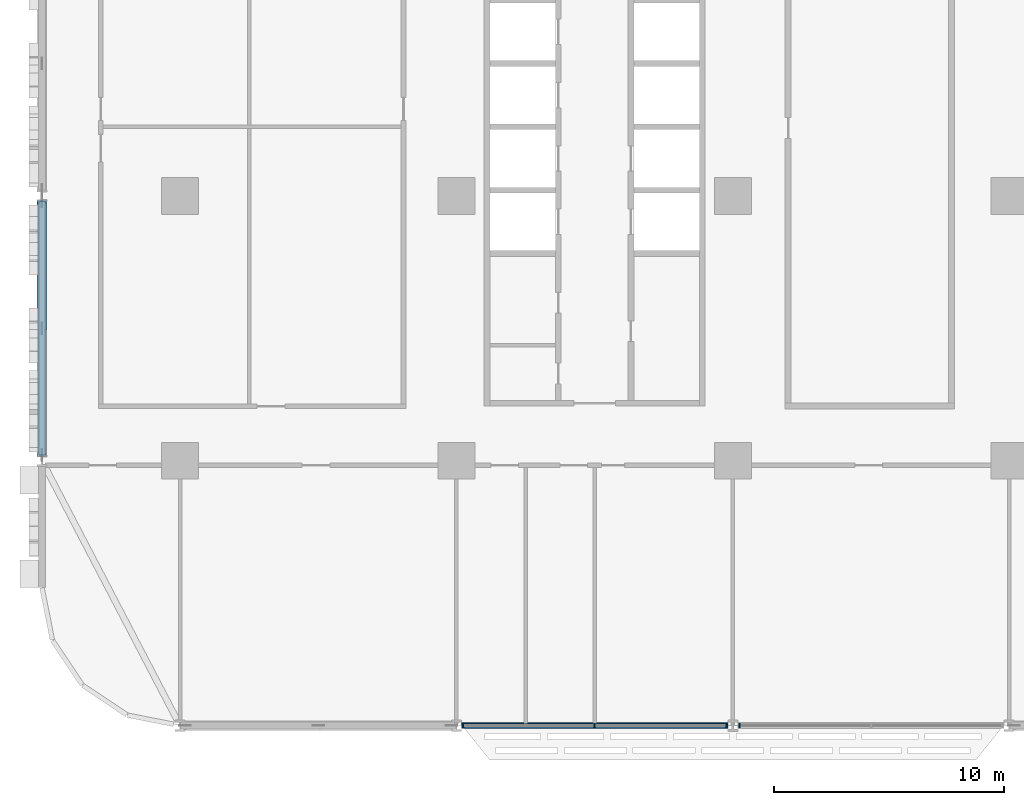
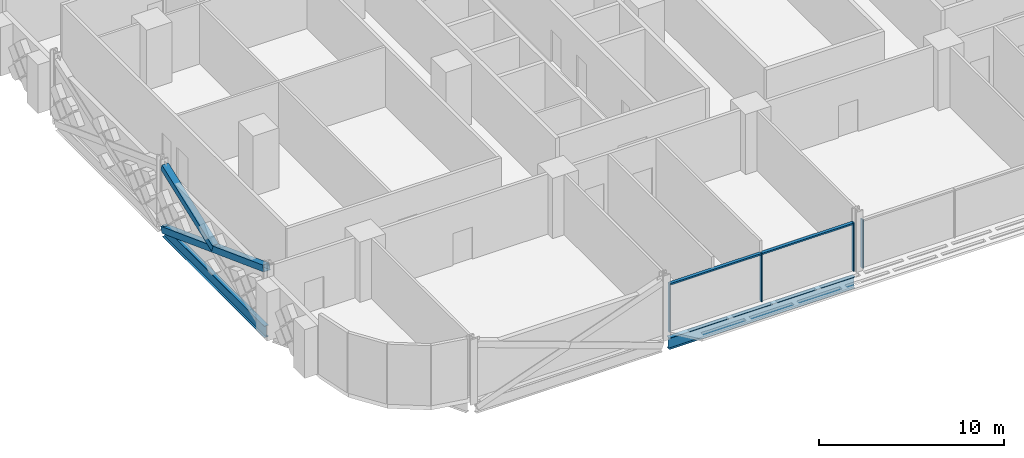
# One storey, part 2 of 27: 8 members, 2 beams, 2 elements without a shape of their own.
"""IFC4 building model written with IfcOpenShell, lengths in metres."""

from ifc_helpers import new_model, si_unit, direction, frame, origin, origin_2d, place, context, subcontext, project, spatial, rectangle, hollow_rectangle, i_section, extrude, material, material_profile, profile_set, type_object, element, aggregate, save


model = new_model("IFC4")

# Units and contexts
model_context = context("Model", 3, precision=1e-05, world=origin(), true_north=direction((0.0, 1.0)))
body_context = subcontext(model_context, "Body", "Model", "MODEL_VIEW")
ifc_project = project(units=[si_unit("LENGTHUNIT", "METRE"), si_unit("AREAUNIT", "SQUARE_METRE"), si_unit("VOLUMEUNIT", "CUBIC_METRE"), si_unit("PLANEANGLEUNIT", "RADIAN"), si_unit("MASSUNIT", "GRAM", prefix="KILO")], contexts=[model_context])

# Site, building, storey
site_placement = place(None, origin())
site = spatial("IfcSite", under=ifc_project, at=site_placement, CompositionType="ELEMENT")
building_placement = place(site_placement, origin())
building = spatial("IfcBuilding", under=site, at=building_placement, Name="Mahtab Terrace Research Tower", CompositionType="ELEMENT")
storey_placement = place(building_placement, frame((0.0, 0.0, 28.699951171875)))
storey = spatial("IfcBuildingStorey", under=building, at=storey_placement, Name="L06", CompositionType="ELEMENT", Elevation=28.699951171875)

# Members
ifc_material_1 = material(Name="Steel ASTM A500 Gr C", Category="steel")
ifc_material_profile_1 = material_profile(ifc_material_1, hollow_rectangle(XDim=0.406494140625, YDim=0.406494140625, WallThickness=0.01904296875, at=origin_2d()), Name="HSS16X16X3/4")
ifc_profile_set_1 = profile_set([ifc_material_profile_1], Name="Steel ASTM A500 Gr C")
member_type_1 = type_object("IfcMemberType", Name="HSS 16x16x3/4 brace XB161634", PredefinedType="BRACE", material=ifc_profile_set_1)
member_1_placement = place(storey_placement, frame((-48.0, -0.248779296875, -0.625244140625), z_axis=(0.0, -0.936668691391, 0.350216736563), x_axis=(1.0, 0.0, 0.0)))
element("IfcMember", 1, at=member_1_placement, inside=storey, type_object=member_type_1, Name="Exoskeleton brace L06 10 a", PredefinedType="BRACE", context=body_context, shape_type="SweptSolid", body=[
    extrude(hollow_rectangle(XDim=0.406494140625, YDim=0.406494140625, WallThickness=0.01904296875, at=origin_2d()), origin(), (0.0, 0.0, 1.0), 11.746337890625),
])
member_2_placement = place(storey_placement, frame((-48.0, -5.75, 1.431640625), z_axis=(0.0, 0.936668691391, 0.350216736563), x_axis=(-1.0, 0.0, 0.0)))
element("IfcMember", 2, at=member_2_placement, inside=storey, type_object=member_type_1, Name="Exoskeleton brace L06 10 b2", PredefinedType="BRACE", context=body_context, shape_type="SweptSolid", body=[
    extrude(hollow_rectangle(XDim=0.406494140625, YDim=0.406494140625, WallThickness=0.01904296875, at=origin_2d()), origin(), (0.0, 0.0, 1.0), 5.873291015625),
])

# Curtain wall, members
ifc_material_2 = material(Name="Laboratory ribbon curtain wall")
curtain_wall_type = type_object("IfcCurtainWallType", Name="Laboratory ribbon curtain wall", PredefinedType="NOTDEFINED", material=ifc_material_2)
curtain_wall_1_placement = place(storey_placement, origin())
curtain_wall_1 = element("IfcCurtainWall", 3, at=curtain_wall_1_placement, inside=storey, type_object=curtain_wall_type, Name="EN.L06.13.23", PredefinedType="NOTDEFINED")
ifc_material_3 = material(Name="Natural anodised aluminium", Category="aluminium")
ifc_material_profile_2 = material_profile(ifc_material_3, rectangle(XDim=0.199951171875, YDim=0.06494140625, at=origin_2d()), Name="MULLION 65x200")
ifc_profile_set_2 = profile_set([ifc_material_profile_2], Name="Natural anodised aluminium")
member_type_2 = type_object("IfcMemberType", Name="Laboratory ribbon curtain wall mullion", PredefinedType="MULLION", material=ifc_profile_set_2)
member_3_placement = place(storey_placement, frame((-29.718505859375, -23.0, 0.0), z_axis=(0.0, 0.0, 1.0), x_axis=(0.0, 1.0, 0.0)))
member_3 = element("IfcMember", 4, at=member_3_placement, type_object=member_type_2, Name="CWL-1 mullion 1", PredefinedType="MULLION", context=body_context, shape_type="SweptSolid", body=[
    extrude(rectangle(XDim=0.199951171875, YDim=0.06494140625, at=origin_2d()), origin(), (0.0, 0.0, 1.0), 3.203125),
])
member_4_placement = place(storey_placement, frame((-24.0, -23.0, 0.0), z_axis=(0.0, 0.0, 1.0), x_axis=(0.0, 1.0, 0.0)))
member_4 = element("IfcMember", 5, at=member_4_placement, type_object=member_type_2, Name="CWL-1 mullion 2", PredefinedType="MULLION", context=body_context, shape_type="SweptSolid", body=[
    extrude(rectangle(XDim=0.199951171875, YDim=0.06494140625, at=origin_2d()), origin(), (0.0, 0.0, 1.0), 3.203125),
])
member_5_placement = place(storey_placement, frame((-18.281494140625, -23.0, 0.0), z_axis=(0.0, 0.0, 1.0), x_axis=(0.0, 1.0, 0.0)))
member_5 = element("IfcMember", 6, at=member_5_placement, type_object=member_type_2, Name="CWL-1 mullion 3", PredefinedType="MULLION", context=body_context, shape_type="SweptSolid", body=[
    extrude(rectangle(XDim=0.199951171875, YDim=0.06494140625, at=origin_2d()), origin(), (0.0, 0.0, 1.0), 3.203125),
])

# Curtain wall, member
curtain_wall_2_placement = place(storey_placement, origin())
curtain_wall_2 = element("IfcCurtainWall", 7, at=curtain_wall_2_placement, inside=storey, type_object=curtain_wall_type, Name="EN.L06.13.24", PredefinedType="NOTDEFINED")
member_6_placement = place(storey_placement, frame((-17.718505859375, -23.0, 0.0), z_axis=(0.0, 0.0, 1.0), x_axis=(0.0, 1.0, 0.0)))
member_6 = element("IfcMember", 8, at=member_6_placement, type_object=member_type_2, Name="CWL-1 mullion 1", PredefinedType="MULLION", context=body_context, shape_type="SweptSolid", body=[
    extrude(rectangle(XDim=0.199951171875, YDim=0.06494140625, at=origin_2d()), origin(), (0.0, 0.0, 1.0), 3.203125),
])
aggregate(curtain_wall_2, [member_6])

# Member
ifc_material_profile_3 = material_profile(ifc_material_3, rectangle(XDim=0.199951171875, YDim=0.10009765625, at=origin_2d()), Name="TRANSOM 100x200")
ifc_profile_set_3 = profile_set([ifc_material_profile_3], Name="Natural anodised aluminium")
member_type_3 = type_object("IfcMemberType", Name="Laboratory ribbon curtain wall transom", PredefinedType="USERDEFINED", material=ifc_profile_set_3)
member_7_placement = place(storey_placement, frame((-29.68603515625, -23.0, 3.153076171875), z_axis=(1.0, 0.0, 0.0), x_axis=(0.0, 1.0, 0.0)))
member_7 = element("IfcMember", 9, at=member_7_placement, type_object=member_type_3, Name="CWL-1 transom 1", ObjectType="TRANSOM", PredefinedType="USERDEFINED", context=body_context, shape_type="SweptSolid", body=[
    extrude(rectangle(XDim=0.199951171875, YDim=0.10009765625, at=origin_2d()), origin(), (0.0, 0.0, 1.0), 5.653564453125),
])

member_8_placement = place(storey_placement, frame((-23.967529296875, -23.0, 3.153076171875), z_axis=(1.0, 0.0, 0.0), x_axis=(0.0, 1.0, 0.0)))
member_8 = element("IfcMember", 10, at=member_8_placement, type_object=member_type_3, Name="CWL-1 transom 2", ObjectType="TRANSOM", PredefinedType="USERDEFINED", context=body_context, shape_type="SweptSolid", body=[
    extrude(rectangle(XDim=0.199951171875, YDim=0.10009765625, at=origin_2d()), origin(), (0.0, 0.0, 1.0), 5.653564453125),
])

aggregate(curtain_wall_1, [member_3, member_4, member_5, member_7, member_8])

# Beams
ifc_material_4 = material(Name="Steel ASTM A992 Gr 50", Category="steel")
ifc_material_profile_4 = material_profile(ifc_material_4, i_section(OverallWidth=0.2666015625, OverallDepth=0.7568359375, WebThickness=0.013916015625, FlangeThickness=0.019287109375, at=origin_2d()), Name="W30X108")
ifc_profile_set_4 = profile_set([ifc_material_profile_4], Name="Steel ASTM A992 Gr 50")
beam_type = type_object("IfcBeamType", Name="W30x108 beam BS30108", PredefinedType="BEAM", material=ifc_profile_set_4)
beam_1_placement = place(storey_placement, frame((-48.0, -0.248779296875, -0.718505859375), z_axis=(0.0, -1.0, 0.0), x_axis=(1.0, 0.0, 0.0)))
element("IfcBeam", 11, at=beam_1_placement, inside=storey, type_object=beam_type, Name="Spandrel beam L06 10", PredefinedType="BEAM", context=body_context, shape_type="SweptSolid", body=[
    extrude(i_section(OverallWidth=0.2666015625, OverallDepth=0.7568359375, WebThickness=0.013916015625, FlangeThickness=0.019287109375, at=origin_2d()), origin(), (0.0, 0.0, 1.0), 11.00244140625),
])
beam_2_placement = place(storey_placement, frame((-29.7841796875, -23.0, -0.718505859375), z_axis=(1.0, 0.0, 0.0), x_axis=(0.0, 1.0, 0.0)))
element("IfcBeam", 12, at=beam_2_placement, inside=storey, type_object=beam_type, Name="Spandrel beam L06 13", PredefinedType="BEAM", context=body_context, shape_type="SweptSolid", body=[
    extrude(i_section(OverallWidth=0.2666015625, OverallDepth=0.7568359375, WebThickness=0.013916015625, FlangeThickness=0.019287109375, at=origin_2d()), origin(), (0.0, 0.0, 1.0), 11.568359375),
])

save(model, "model.ifc")
